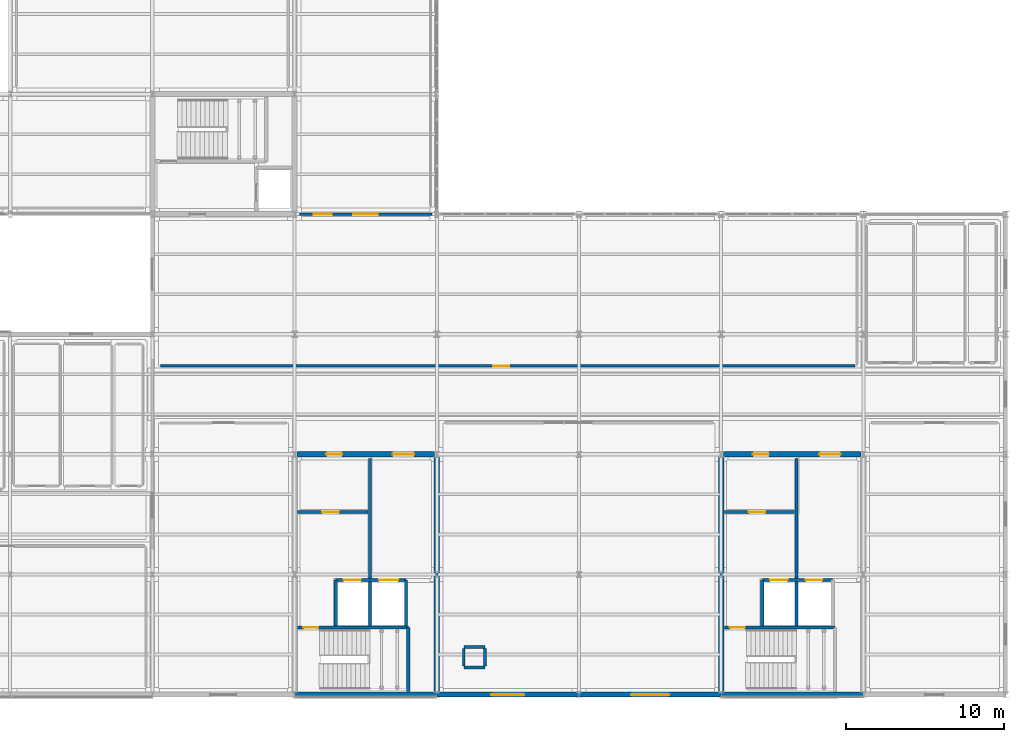
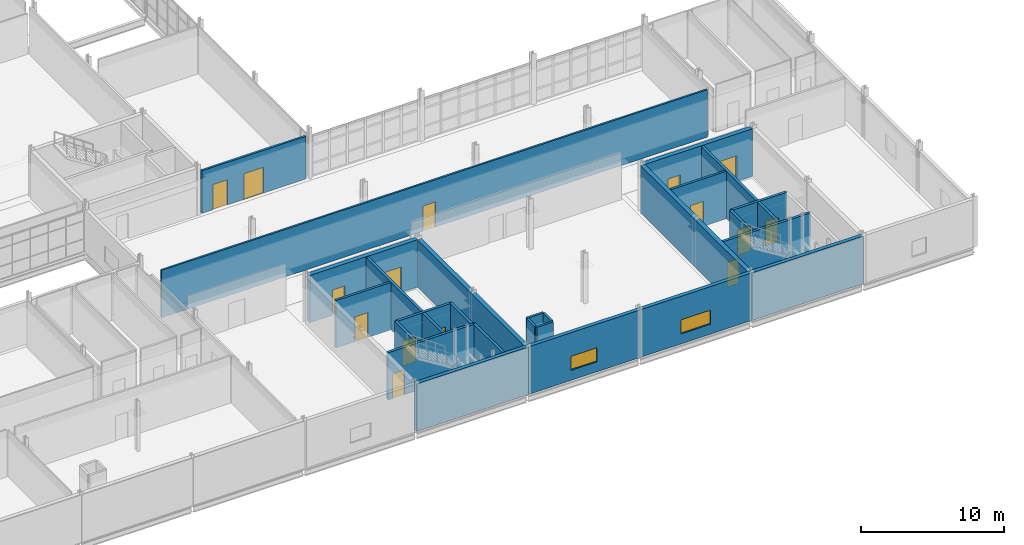
# One storey, part 155 of 174: 26 walls, 15 doors, 2 windows, 17 openings.
"""IFC4 building model written with IfcOpenShell, lengths in metres."""

from ifc_helpers import new_model, si_unit, direction, frame, frame_2d, origin, place, context, subcontext, project, spatial, rectangle, extrude, material, layer, layer_set, type_object, element, fill, save


model = new_model("IFC4")

# Units and contexts
model_context = context("Model", 3, precision=1e-05, world=origin(), true_north=direction((0.0, 1.0)))
body_context = subcontext(model_context, "Body", "Model", "MODEL_VIEW")
ifc_project = project(units=[si_unit("LENGTHUNIT", "METRE"), si_unit("AREAUNIT", "SQUARE_METRE"), si_unit("VOLUMEUNIT", "CUBIC_METRE"), si_unit("PLANEANGLEUNIT", "RADIAN"), si_unit("MASSUNIT", "GRAM", prefix="KILO")], contexts=[model_context])

# Site, building, storey
site_placement = place(None, origin())
site = spatial("IfcSite", under=ifc_project, at=site_placement, CompositionType="ELEMENT")
building_placement = place(site_placement, origin())
building = spatial("IfcBuilding", under=site, at=building_placement, Name="Caisbarro Railhouse Central Library", CompositionType="ELEMENT")
storey_placement = place(building_placement, frame((0.0, 0.0, 5.0400390625)))
storey = spatial("IfcBuildingStorey", under=building, at=storey_placement, Name="L01", CompositionType="ELEMENT", Elevation=5.0400390625)

# Wall, openings, doors
ifc_material_1 = material(Name="Concrete C40", Category="concrete")
ifc_layer_1 = layer(ifc_material_1, 0.35009765625, Name="Concrete C40")
ifc_layer_set_1 = layer_set([ifc_layer_1], Name="Concrete C40")
wall_type_1 = type_object("IfcWallType", Name="WAL-CW35", PredefinedType="SHEAR", material=ifc_layer_set_1)
wall_1_placement = place(storey_placement, frame((63.159912109375, 15.199951171875, 0.0), z_axis=(0.0, 0.0, 1.0), x_axis=(1.0, 0.0, 0.0)))
wall_1 = element("IfcWall", 1, at=wall_1_placement, inside=storey, type_object=wall_type_1, Name="CW35 RC core shear wall L01 #7", PredefinedType="SHEAR", context=body_context, shape_type="SweptSolid", body=[
    extrude(rectangle(XDim=8.68017578125, YDim=0.35009765625, at=frame_2d((4.340087890625, 0.0))), origin(), (0.0, 0.0, 1.0), 4.0400390625),
])
opening_1_placement = place(wall_1_placement, frame((1.85009765625, 0.0, 0.0)))
opening_1 = element("IfcOpeningElement", 2, at=opening_1_placement, cuts=wall_1, Name="Opening FD05", PredefinedType="OPENING", context=body_context, shape_type="SweptSolid", body=[
    extrude(rectangle(XDim=1.0, YDim=2.14990234375, at=frame_2d((0.5, 1.074951171875))), frame((0.0, 0.18505859375, 0.0), z_axis=(0.0, -1.0, 0.0), x_axis=(1.0, 0.0, 0.0)), (0.0, 0.0, 1.0), 0.3701171875),
])
opening_2_placement = place(wall_1_placement, frame((6.050048828125, 0.0, 0.0)))
opening_2 = element("IfcOpeningElement", 3, at=opening_2_placement, cuts=wall_1, Name="Opening FD06", PredefinedType="OPENING", context=body_context, shape_type="SweptSolid", body=[
    extrude(rectangle(XDim=1.35009765625, YDim=2.179931640625, at=frame_2d((0.675048828125, 1.08984375))), frame((0.0, 0.18505859375, 0.0), z_axis=(0.0, -1.0, 0.0), x_axis=(1.0, 0.0, 0.0)), (0.0, 0.0, 1.0), 0.3701171875),
])
ifc_material_2 = material(Name="Fire-rated painted galvanised steel", Category="steel")
door_type_1 = type_object("IfcDoorType", Name="DR-FD05", OperationType="NOTDEFINED", PredefinedType="DOOR", material=ifc_material_2)
door_1_placement = place(opening_1_placement, origin())
door_1 = element("IfcDoor", 4, at=door_1_placement, inside=storey, type_object=door_type_1, Name="Core K1 Vestibule Door FD05 L01-017", OperationType="SINGLE_SWING_LEFT", OverallHeight=2.14990234375, OverallWidth=1.0, PredefinedType="DOOR", context=body_context, shape_type="SweptSolid", body=[
    extrude(rectangle(XDim=1.0, YDim=2.14990234375, at=frame_2d((0.5, 1.074951171875))), frame((0.0, 0.02490234375, 0.0), z_axis=(0.0, -1.0, 0.0), x_axis=(1.0, 0.0, 0.0)), (0.0, 0.0, 1.0), 0.050048828125),
])
fill(opening_1, door_1)
door_type_2 = type_object("IfcDoorType", Name="DR-FD06", OperationType="NOTDEFINED", PredefinedType="DOOR", material=ifc_material_2)
door_2_placement = place(opening_2_placement, origin())
door_2 = element("IfcDoor", 5, at=door_2_placement, inside=storey, type_object=door_type_2, Name="Core K1 Lift Lobby Door FD06 L01-018", OperationType="SINGLE_SWING_RIGHT", OverallHeight=2.179931640625, OverallWidth=1.35009765625, PredefinedType="DOOR", context=body_context, shape_type="SweptSolid", body=[
    extrude(rectangle(XDim=1.35009765625, YDim=2.179931640625, at=frame_2d((0.675048828125, 1.08984375))), frame((0.0, 0.02490234375, 0.0), z_axis=(0.0, -1.0, 0.0), x_axis=(1.0, 0.0, 0.0)), (0.0, 0.0, 1.0), 0.050048828125),
])
fill(opening_2, door_2)

# Wall
wall_2_placement = place(storey_placement, frame((72.0, 0.159912109375, 0.0), z_axis=(0.0, 0.0, 1.0), x_axis=(0.0, 1.0, 0.0)))
element("IfcWall", 6, at=wall_2_placement, inside=storey, type_object=wall_type_1, Name="CW35 RC core shear wall L01 #9", PredefinedType="SHEAR", context=body_context, shape_type="SweptSolid", body=[
    extrude(rectangle(XDim=14.880126953125, YDim=0.35009765625, at=frame_2d((7.43994140625, 0.0))), origin(), (0.0, 0.0, 1.0), 4.0400390625),
])

# Wall, openings, doors
wall_3_placement = place(storey_placement, frame((90.159912109375, 15.199951171875, 0.0), z_axis=(0.0, 0.0, 1.0), x_axis=(1.0, 0.0, 0.0)))
wall_3 = element("IfcWall", 7, at=wall_3_placement, inside=storey, type_object=wall_type_1, Name="CW35 RC core shear wall L01 #26", PredefinedType="SHEAR", context=body_context, shape_type="SweptSolid", body=[
    extrude(rectangle(XDim=8.68017578125, YDim=0.35009765625, at=frame_2d((4.340087890625, 0.0))), origin(), (0.0, 0.0, 1.0), 4.0400390625),
])
opening_3_placement = place(wall_3_placement, frame((1.85009765625, 0.0, 0.0)))
opening_3 = element("IfcOpeningElement", 8, at=opening_3_placement, cuts=wall_3, Name="Opening FD05", PredefinedType="OPENING", context=body_context, shape_type="SweptSolid", body=[
    extrude(rectangle(XDim=1.0, YDim=2.14990234375, at=frame_2d((0.5, 1.074951171875))), frame((0.0, 0.18505859375, 0.0), z_axis=(0.0, -1.0, 0.0), x_axis=(1.0, 0.0, 0.0)), (0.0, 0.0, 1.0), 0.3701171875),
])
opening_4_placement = place(wall_3_placement, frame((6.050048828125, 0.0, 0.0)))
opening_4 = element("IfcOpeningElement", 9, at=opening_4_placement, cuts=wall_3, Name="Opening FD06", PredefinedType="OPENING", context=body_context, shape_type="SweptSolid", body=[
    extrude(rectangle(XDim=1.35009765625, YDim=2.179931640625, at=frame_2d((0.675048828125, 1.08984375))), frame((0.0, 0.18505859375, 0.0), z_axis=(0.0, -1.0, 0.0), x_axis=(1.0, 0.0, 0.0)), (0.0, 0.0, 1.0), 0.3701171875),
])
door_3_placement = place(opening_3_placement, origin())
door_3 = element("IfcDoor", 10, at=door_3_placement, inside=storey, type_object=door_type_1, Name="Core K2 Vestibule Door FD05 L01-059", OperationType="SINGLE_SWING_LEFT", OverallHeight=2.14990234375, OverallWidth=1.0, PredefinedType="DOOR", context=body_context, shape_type="SweptSolid", body=[
    extrude(rectangle(XDim=1.0, YDim=2.14990234375, at=frame_2d((0.5, 1.074951171875))), frame((0.0, 0.02490234375, 0.0), z_axis=(0.0, -1.0, 0.0), x_axis=(1.0, 0.0, 0.0)), (0.0, 0.0, 1.0), 0.050048828125),
])
fill(opening_3, door_3)
door_4_placement = place(opening_4_placement, origin())
door_4 = element("IfcDoor", 11, at=door_4_placement, inside=storey, type_object=door_type_2, Name="Core K2 Lift Lobby Door FD06 L01-060", OperationType="SINGLE_SWING_RIGHT", OverallHeight=2.179931640625, OverallWidth=1.35009765625, PredefinedType="DOOR", context=body_context, shape_type="SweptSolid", body=[
    extrude(rectangle(XDim=1.35009765625, YDim=2.179931640625, at=frame_2d((0.675048828125, 1.08984375))), frame((0.0, 0.02490234375, 0.0), z_axis=(0.0, -1.0, 0.0), x_axis=(1.0, 0.0, 0.0)), (0.0, 0.0, 1.0), 0.050048828125),
])
fill(opening_4, door_4)

# Walls
wall_4_placement = place(storey_placement, frame((90.0, 0.159912109375, 0.0), z_axis=(0.0, 0.0, 1.0), x_axis=(0.0, 1.0, 0.0)))
element("IfcWall", 12, at=wall_4_placement, inside=storey, type_object=wall_type_1, Name="CW35 RC core shear wall L01 #27", PredefinedType="SHEAR", context=body_context, shape_type="SweptSolid", body=[
    extrude(rectangle(XDim=14.880126953125, YDim=0.35009765625, at=frame_2d((7.43994140625, 0.0))), origin(), (0.0, 0.0, 1.0), 4.0400390625),
])
ifc_layer_2 = layer(ifc_material_1, 0.300048828125, Name="Concrete C40")
ifc_layer_set_2 = layer_set([ifc_layer_2], Name="Concrete C40")
wall_type_2 = type_object("IfcWallType", Name="WAL-EW30", PredefinedType="SOLIDWALL", material=ifc_layer_set_2)
wall_5_placement = place(storey_placement, frame((63.0, 0.0, 0.0), z_axis=(0.0, 0.0, 1.0), x_axis=(1.0, 0.0, 0.0)))
element("IfcWall", 13, at=wall_5_placement, inside=storey, type_object=wall_type_2, Name="EW30 exterior wall L01 #82", PredefinedType="SOLIDWALL", context=body_context, shape_type="SweptSolid", body=[
    extrude(rectangle(XDim=9.0, YDim=0.300048828125, at=frame_2d((4.5, 0.0))), origin(), (0.0, 0.0, 1.0), 4.06005859375),
])

# Wall, opening, window
wall_6_placement = place(storey_placement, frame((72.0, 0.0, 0.0), z_axis=(0.0, 0.0, 1.0), x_axis=(1.0, 0.0, 0.0)))
wall_6 = element("IfcWall", 14, at=wall_6_placement, inside=storey, type_object=wall_type_2, Name="EW30 exterior wall L01 #83", PredefinedType="SOLIDWALL", context=body_context, shape_type="SweptSolid", body=[
    extrude(rectangle(XDim=9.0, YDim=0.300048828125, at=frame_2d((4.5, 0.0))), origin(), (0.0, 0.0, 1.0), 4.06005859375),
])
opening_5_placement = place(wall_6_placement, frame((3.449951171875, 0.0, 0.85009765625)))
opening_5 = element("IfcOpeningElement", 15, at=opening_5_placement, cuts=wall_6, Name="Opening W08", PredefinedType="OPENING", context=body_context, shape_type="SweptSolid", body=[
    extrude(rectangle(XDim=2.10009765625, YDim=1.199951171875, at=frame_2d((1.050048828125, 0.60009765625))), frame((0.0, 0.16015625, 0.0), z_axis=(0.0, -1.0, 0.0), x_axis=(1.0, 0.0, 0.0)), (0.0, 0.0, 1.0), 0.320068359375),
])
ifc_material_3 = material(Name="Double low-e laminated solar-control glass", Category="glass")
window_type_1 = type_object("IfcWindowType", Name="WIN-W08", PartitioningType="SINGLE_PANEL", PredefinedType="WINDOW", material=ifc_material_3)
window_1_placement = place(opening_5_placement, origin())
window_1 = element("IfcWindow", 16, at=window_1_placement, inside=storey, type_object=window_type_1, Name="W08 window L01-010", OverallHeight=1.199951171875, OverallWidth=2.10009765625, PartitioningType="SINGLE_PANEL", PredefinedType="WINDOW", context=body_context, shape_type="SweptSolid", body=[
    extrude(rectangle(XDim=2.10009765625, YDim=1.199951171875, at=frame_2d((1.050048828125, 0.60009765625))), frame((0.0, 0.030029296875, 0.0), z_axis=(0.0, -1.0, 0.0), x_axis=(1.0, 0.0, 0.0)), (0.0, 0.0, 1.0), 0.06005859375),
])
fill(opening_5, window_1)

wall_7_placement = place(storey_placement, frame((81.0, 0.0, 0.0), z_axis=(0.0, 0.0, 1.0), x_axis=(1.0, 0.0, 0.0)))
wall_7 = element("IfcWall", 17, at=wall_7_placement, inside=storey, type_object=wall_type_2, Name="EW30 exterior wall L01 #84", PredefinedType="SOLIDWALL", context=body_context, shape_type="SweptSolid", body=[
    extrude(rectangle(XDim=9.0, YDim=0.300048828125, at=frame_2d((4.5, 0.0))), origin(), (0.0, 0.0, 1.0), 4.06005859375),
])
opening_6_placement = place(wall_7_placement, frame((3.300048828125, 0.0, 0.85009765625)))
opening_6 = element("IfcOpeningElement", 18, at=opening_6_placement, cuts=wall_7, Name="Opening W09", PredefinedType="OPENING", context=body_context, shape_type="SweptSolid", body=[
    extrude(rectangle(XDim=2.39990234375, YDim=1.199951171875, at=frame_2d((1.199951171875, 0.60009765625))), frame((0.0, 0.16015625, 0.0), z_axis=(0.0, -1.0, 0.0), x_axis=(1.0, 0.0, 0.0)), (0.0, 0.0, 1.0), 0.320068359375),
])
window_type_2 = type_object("IfcWindowType", Name="WIN-W09", PartitioningType="SINGLE_PANEL", PredefinedType="WINDOW", material=ifc_material_3)
window_2_placement = place(opening_6_placement, origin())
window_2 = element("IfcWindow", 19, at=window_2_placement, inside=storey, type_object=window_type_2, Name="W09 window L01-011", OverallHeight=1.199951171875, OverallWidth=2.39990234375, PartitioningType="SINGLE_PANEL", PredefinedType="WINDOW", context=body_context, shape_type="SweptSolid", body=[
    extrude(rectangle(XDim=2.39990234375, YDim=1.199951171875, at=frame_2d((1.199951171875, 0.60009765625))), frame((0.0, 0.030029296875, 0.0), z_axis=(0.0, -1.0, 0.0), x_axis=(1.0, 0.0, 0.0)), (0.0, 0.0, 1.0), 0.06005859375),
])
fill(opening_6, window_2)

# Wall
wall_8_placement = place(storey_placement, frame((90.0, 0.0, 0.0), z_axis=(0.0, 0.0, 1.0), x_axis=(1.0, 0.0, 0.0)))
element("IfcWall", 20, at=wall_8_placement, inside=storey, type_object=wall_type_2, Name="EW30 exterior wall L01 #85", PredefinedType="SOLIDWALL", context=body_context, shape_type="SweptSolid", body=[
    extrude(rectangle(XDim=9.0, YDim=0.300048828125, at=frame_2d((4.5, 0.0))), origin(), (0.0, 0.0, 1.0), 4.06005859375),
])

# Wall, opening, door
ifc_material_4 = material(Name="Acoustic gypsum board on galvanised steel studs", Category="steel")
ifc_layer_3 = layer(ifc_material_4, 0.14990234375, Name="Acoustic gypsum board on galvanised steel studs")
ifc_layer_set_3 = layer_set([ifc_layer_3], Name="Acoustic gypsum board on galvanised steel studs")
wall_type_3 = type_object("IfcWallType", Name="WAL-IW15", PredefinedType="PARTITIONING", material=ifc_layer_set_3)
wall_9_placement = place(storey_placement, frame((54.52001953125, 20.800048828125, 0.0), z_axis=(0.0, 0.0, 1.0), x_axis=(1.0, 0.0, 0.0)))
wall_9 = element("IfcWall", 21, at=wall_9_placement, inside=storey, type_object=wall_type_3, Name="IW15 partition wall L01 #392", PredefinedType="PARTITIONING", context=body_context, shape_type="SweptSolid", body=[
    extrude(rectangle(XDim=43.9599609375, YDim=0.14990234375, at=frame_2d((21.97998046875, 0.0))), origin(), (0.0, 0.0, 1.0), 4.0400390625),
])
opening_7_placement = place(wall_9_placement, frame((21.06005859375, 0.0, 0.0)))
opening_7 = element("IfcOpeningElement", 22, at=opening_7_placement, cuts=wall_9, Name="Opening FD05", PredefinedType="OPENING", context=body_context, shape_type="SweptSolid", body=[
    extrude(rectangle(XDim=1.0, YDim=2.14990234375, at=frame_2d((0.5, 1.074951171875))), frame((0.0, 0.0849609375, 0.0), z_axis=(0.0, -1.0, 0.0), x_axis=(1.0, 0.0, 0.0)), (0.0, 0.0, 1.0), 0.169921875),
])
door_5_placement = place(opening_7_placement, origin())
door_5 = element("IfcDoor", 23, at=door_5_placement, inside=storey, type_object=door_type_1, Name="Social Sciences Open Stacks Door FD05 L01-241", OperationType="SINGLE_SWING_LEFT", OverallHeight=2.14990234375, OverallWidth=1.0, PredefinedType="DOOR", context=body_context, shape_type="SweptSolid", body=[
    extrude(rectangle(XDim=1.0, YDim=2.14990234375, at=frame_2d((0.5, 1.074951171875))), frame((0.0, 0.02490234375, 0.0), z_axis=(0.0, -1.0, 0.0), x_axis=(1.0, 0.0, 0.0)), (0.0, 0.0, 1.0), 0.050048828125),
])
fill(opening_7, door_5)

# Walls
ifc_material_5 = material(Name="Plastered cellular concrete masonry", Category="masonry")
ifc_layer_4 = layer(ifc_material_5, 0.169921875, Name="Plastered cellular concrete masonry")
ifc_layer_set_4 = layer_set([ifc_layer_4], Name="Plastered cellular concrete masonry")
wall_type_4 = type_object("IfcWallType", Name="WAL-IW17", PredefinedType="PARTITIONING", material=ifc_layer_set_4)
wall_10_placement = place(storey_placement, frame((73.7099609375, 1.7099609375, 0.0), z_axis=(0.0, 0.0, 1.0), x_axis=(1.0, 0.0, 0.0)))
element("IfcWall", 24, at=wall_10_placement, inside=storey, type_object=wall_type_4, Name="IW17 partition wall L01 #203", PredefinedType="PARTITIONING", context=body_context, shape_type="SweptSolid", body=[
    extrude(rectangle(XDim=1.340087890625, YDim=0.169921875, at=frame_2d((0.669921875, 0.0))), origin(), (0.0, 0.0, 1.0), 4.0400390625),
])
wall_11_placement = place(storey_placement, frame((75.050048828125, 1.800048828125, 0.0), z_axis=(0.0, 0.0, 1.0), x_axis=(0.0, 1.0, 0.0)))
element("IfcWall", 25, at=wall_11_placement, inside=storey, type_object=wall_type_4, Name="IW17 partition wall L01 #204", PredefinedType="PARTITIONING", context=body_context, shape_type="SweptSolid", body=[
    extrude(rectangle(XDim=1.119873046875, YDim=0.169921875, at=frame_2d((0.56005859375, 0.0))), origin(), (0.0, 0.0, 1.0), 4.0400390625),
])
wall_12_placement = place(storey_placement, frame((75.050048828125, 3.010009765625, 0.0), z_axis=(0.0, 0.0, 1.0), x_axis=(-1.0, 0.0, 0.0)))
element("IfcWall", 26, at=wall_12_placement, inside=storey, type_object=wall_type_4, Name="IW17 partition wall L01 #205", PredefinedType="PARTITIONING", context=body_context, shape_type="SweptSolid", body=[
    extrude(rectangle(XDim=1.340087890625, YDim=0.169921875, at=frame_2d((0.669921875, 0.0))), origin(), (0.0, 0.0, 1.0), 4.0400390625),
])
wall_13_placement = place(storey_placement, frame((73.7099609375, 2.919921875, 0.0), z_axis=(0.0, 0.0, 1.0), x_axis=(0.0, -1.0, 0.0)))
element("IfcWall", 27, at=wall_13_placement, inside=storey, type_object=wall_type_4, Name="IW17 partition wall L01 #206", PredefinedType="PARTITIONING", context=body_context, shape_type="SweptSolid", body=[
    extrude(rectangle(XDim=1.119873046875, YDim=0.169921875, at=frame_2d((0.56005859375, 0.0))), origin(), (0.0, 0.0, 1.0), 4.0400390625),
])

# Wall, openings, doors
wall_14_placement = place(storey_placement, frame((63.300048828125, 30.39990234375, 0.0), z_axis=(0.0, 0.0, 1.0), x_axis=(1.0, 0.0, 0.0)))
wall_14 = element("IfcWall", 28, at=wall_14_placement, inside=storey, type_object=wall_type_4, Name="IW17 partition wall L01 #372", PredefinedType="PARTITIONING", context=body_context, shape_type="SweptSolid", body=[
    extrude(rectangle(XDim=8.39990234375, YDim=0.169921875, at=frame_2d((4.199951171875, 0.0))), origin(), (0.0, 0.0, 1.0), 3.630859375),
])
opening_8_placement = place(wall_14_placement, frame((3.39990234375, 0.0, 0.0)))
opening_8 = element("IfcOpeningElement", 29, at=opening_8_placement, cuts=wall_14, Name="Opening FD07", PredefinedType="OPENING", context=body_context, shape_type="SweptSolid", body=[
    extrude(rectangle(XDim=1.550048828125, YDim=2.199951171875, at=frame_2d((0.77490234375, 1.10009765625))), frame((0.0, 0.094970703125, 0.0), z_axis=(0.0, -1.0, 0.0), x_axis=(1.0, 0.0, 0.0)), (0.0, 0.0, 1.0), 0.18994140625),
])
opening_9_placement = place(wall_14_placement, frame((0.909912109375, 0.0, 0.0)))
opening_9 = element("IfcOpeningElement", 30, at=opening_9_placement, cuts=wall_14, Name="Opening FD03", PredefinedType="OPENING", context=body_context, shape_type="SweptSolid", body=[
    extrude(rectangle(XDim=1.14990234375, YDim=2.14990234375, at=frame_2d((0.574951171875, 1.074951171875))), frame((0.0, 0.094970703125, 0.0), z_axis=(0.0, -1.0, 0.0), x_axis=(1.0, 0.0, 0.0)), (0.0, 0.0, 1.0), 0.18994140625),
])
door_type_3 = type_object("IfcDoorType", Name="DR-FD03", OperationType="NOTDEFINED", PredefinedType="DOOR", material=ifc_material_2)
door_6_placement = place(opening_9_placement, origin())
door_6 = element("IfcDoor", 31, at=door_6_placement, inside=storey, type_object=door_type_3, Name="Foyer Overlook Lounge Door FD03 L01-268", OperationType="SINGLE_SWING_RIGHT", OverallHeight=2.14990234375, OverallWidth=1.14990234375, PredefinedType="DOOR", context=body_context, shape_type="SweptSolid", body=[
    extrude(rectangle(XDim=1.14990234375, YDim=2.14990234375, at=frame_2d((0.574951171875, 1.074951171875))), frame((0.0, 0.02490234375, 0.0), z_axis=(0.0, -1.0, 0.0), x_axis=(1.0, 0.0, 0.0)), (0.0, 0.0, 1.0), 0.050048828125),
])
fill(opening_9, door_6)
door_type_4 = type_object("IfcDoorType", Name="DR-FD07", OperationType="NOTDEFINED", PredefinedType="DOOR", material=ifc_material_2)
door_7_placement = place(opening_8_placement, origin())
door_7 = element("IfcDoor", 32, at=door_7_placement, inside=storey, type_object=door_type_4, Name="Hall-Archive Interconnecting Door FD07 L01-231", OperationType="SINGLE_SWING_LEFT", OverallHeight=2.199951171875, OverallWidth=1.550048828125, PredefinedType="DOOR", context=body_context, shape_type="SweptSolid", body=[
    extrude(rectangle(XDim=1.550048828125, YDim=2.199951171875, at=frame_2d((0.77490234375, 1.10009765625))), frame((0.0, 0.02490234375, 0.0), z_axis=(0.0, -1.0, 0.0), x_axis=(1.0, 0.0, 0.0)), (0.0, 0.0, 1.0), 0.050048828125),
])
fill(opening_8, door_7)

# Wall, opening, door
ifc_layer_5 = layer(ifc_material_5, 0.18994140625, Name="Plastered cellular concrete masonry")
ifc_layer_set_5 = layer_set([ifc_layer_5], Name="Plastered cellular concrete masonry")
wall_type_5 = type_object("IfcWallType", Name="WAL-SW19", PredefinedType="SOLIDWALL", material=ifc_layer_set_5)
wall_15_placement = place(storey_placement, frame((63.199951171875, 11.550048828125, 0.0), z_axis=(0.0, 0.0, 1.0), x_axis=(1.0, 0.0, 0.0)))
wall_15 = element("IfcWall", 33, at=wall_15_placement, inside=storey, type_object=wall_type_5, Name="SW19 partition wall L01 #21", PredefinedType="SOLIDWALL", context=body_context, shape_type="SweptSolid", body=[
    extrude(rectangle(XDim=4.449951171875, YDim=0.18994140625, at=frame_2d((2.22509765625, 0.0))), origin(), (0.0, 0.0, 1.0), 4.0400390625),
])
opening_10_placement = place(wall_15_placement, frame((1.550048828125, 0.0, 0.0)))
opening_10 = element("IfcOpeningElement", 34, at=opening_10_placement, cuts=wall_15, Name="Opening FD02", PredefinedType="OPENING", context=body_context, shape_type="SweptSolid", body=[
    extrude(rectangle(XDim=1.050048828125, YDim=2.1201171875, at=frame_2d((0.52490234375, 1.06005859375))), frame((0.0, 0.10498046875, 0.0), z_axis=(0.0, -1.0, 0.0), x_axis=(1.0, 0.0, 0.0)), (0.0, 0.0, 1.0), 0.2099609375),
])
door_type_5 = type_object("IfcDoorType", Name="DR-FD02", OperationType="NOTDEFINED", PredefinedType="DOOR", material=ifc_material_2)
door_8_placement = place(opening_10_placement, origin())
door_8 = element("IfcDoor", 35, at=door_8_placement, inside=storey, type_object=door_type_5, Name="Firefighting Lobby K1 Door FD02 L01-016", OperationType="SINGLE_SWING_RIGHT", OverallHeight=2.1201171875, OverallWidth=1.050048828125, PredefinedType="DOOR", context=body_context, shape_type="SweptSolid", body=[
    extrude(rectangle(XDim=1.050048828125, YDim=2.1201171875, at=frame_2d((0.52490234375, 1.06005859375))), frame((0.0, 0.02490234375, 0.0), z_axis=(0.0, -1.0, 0.0), x_axis=(1.0, 0.0, 0.0)), (0.0, 0.0, 1.0), 0.050048828125),
])
fill(opening_10, door_8)

wall_16_placement = place(storey_placement, frame((90.199951171875, 11.550048828125, 0.0), z_axis=(0.0, 0.0, 1.0), x_axis=(1.0, 0.0, 0.0)))
wall_16 = element("IfcWall", 36, at=wall_16_placement, inside=storey, type_object=wall_type_5, Name="SW19 partition wall L01 #70", PredefinedType="SOLIDWALL", context=body_context, shape_type="SweptSolid", body=[
    extrude(rectangle(XDim=4.449951171875, YDim=0.18994140625, at=frame_2d((2.22509765625, 0.0))), origin(), (0.0, 0.0, 1.0), 4.0400390625),
])
opening_11_placement = place(wall_16_placement, frame((1.550048828125, 0.0, 0.0)))
opening_11 = element("IfcOpeningElement", 37, at=opening_11_placement, cuts=wall_16, Name="Opening FD02", PredefinedType="OPENING", context=body_context, shape_type="SweptSolid", body=[
    extrude(rectangle(XDim=1.050048828125, YDim=2.1201171875, at=frame_2d((0.52490234375, 1.06005859375))), frame((0.0, 0.10498046875, 0.0), z_axis=(0.0, -1.0, 0.0), x_axis=(1.0, 0.0, 0.0)), (0.0, 0.0, 1.0), 0.2099609375),
])
door_9_placement = place(opening_11_placement, origin())
door_9 = element("IfcDoor", 38, at=door_9_placement, inside=storey, type_object=door_type_5, Name="Firefighting Lobby K2 Door FD02 L01-058", OperationType="SINGLE_SWING_RIGHT", OverallHeight=2.1201171875, OverallWidth=1.050048828125, PredefinedType="DOOR", context=body_context, shape_type="SweptSolid", body=[
    extrude(rectangle(XDim=1.050048828125, YDim=2.1201171875, at=frame_2d((0.52490234375, 1.06005859375))), frame((0.0, 0.02490234375, 0.0), z_axis=(0.0, -1.0, 0.0), x_axis=(1.0, 0.0, 0.0)), (0.0, 0.0, 1.0), 0.050048828125),
])
fill(opening_11, door_9)

ifc_layer_6 = layer(ifc_material_1, 0.2099609375, Name="Concrete C40")
ifc_layer_set_6 = layer_set([ifc_layer_6], Name="Concrete C40")
wall_type_6 = type_object("IfcWallType", Name="WAL-SW21", PredefinedType="SOLIDWALL", material=ifc_layer_set_6)
wall_17_placement = place(storey_placement, frame((63.199951171875, 4.25, 0.0), z_axis=(0.0, 0.0, 1.0), x_axis=(1.0, 0.0, 0.0)))
wall_17 = element("IfcWall", 39, at=wall_17_placement, inside=storey, type_object=wall_type_6, Name="SW21 core shaft wall L01 #15", PredefinedType="SOLIDWALL", context=body_context, shape_type="SweptSolid", body=[
    extrude(rectangle(XDim=7.0, YDim=0.2099609375, at=frame_2d((3.5, 0.0))), origin(), (0.0, 0.0, 1.0), 4.0400390625),
])
opening_12_placement = place(wall_17_placement, frame((0.35009765625, 0.0, 0.0)))
opening_12 = element("IfcOpeningElement", 40, at=opening_12_placement, cuts=wall_17, Name="Opening FD01", PredefinedType="OPENING", context=body_context, shape_type="SweptSolid", body=[
    extrude(rectangle(XDim=0.949951171875, YDim=2.1201171875, at=frame_2d((0.47509765625, 1.06005859375))), frame((0.0, 0.114990234375, 0.0), z_axis=(0.0, -1.0, 0.0), x_axis=(1.0, 0.0, 0.0)), (0.0, 0.0, 1.0), 0.22998046875),
])
door_type_6 = type_object("IfcDoorType", Name="DR-FD01", OperationType="NOTDEFINED", PredefinedType="DOOR", material=ifc_material_2)
door_10_placement = place(opening_12_placement, origin())
door_10 = element("IfcDoor", 41, at=door_10_placement, inside=storey, type_object=door_type_6, Name="Stair ST-01 Fire Door FD01 L01-013", OperationType="SINGLE_SWING_LEFT", OverallHeight=2.1201171875, OverallWidth=0.949951171875, PredefinedType="DOOR", context=body_context, shape_type="SweptSolid", body=[
    extrude(rectangle(XDim=0.949951171875, YDim=2.1201171875, at=frame_2d((0.47509765625, 1.06005859375))), frame((0.0, 0.02490234375, 0.0), z_axis=(0.0, -1.0, 0.0), x_axis=(1.0, 0.0, 0.0)), (0.0, 0.0, 1.0), 0.050048828125),
])
fill(opening_12, door_10)

# Walls
wall_18_placement = place(storey_placement, frame((70.199951171875, 0.199951171875, 0.0), z_axis=(0.0, 0.0, 1.0), x_axis=(0.0, 1.0, 0.0)))
element("IfcWall", 42, at=wall_18_placement, inside=storey, type_object=wall_type_6, Name="SW21 core shaft wall L01 #16", PredefinedType="SOLIDWALL", context=body_context, shape_type="SweptSolid", body=[
    extrude(rectangle(XDim=4.050048828125, YDim=0.2099609375, at=frame_2d((2.02490234375, 0.0))), origin(), (0.0, 0.0, 1.0), 4.0400390625),
])
wall_19_placement = place(storey_placement, frame((65.60009765625, 4.35009765625, 0.0), z_axis=(0.0, 0.0, 1.0), x_axis=(0.0, 1.0, 0.0)))
element("IfcWall", 43, at=wall_19_placement, inside=storey, type_object=wall_type_6, Name="SW21 core shaft wall L01 #17", PredefinedType="SOLIDWALL", context=body_context, shape_type="SweptSolid", body=[
    extrude(rectangle(XDim=2.89990234375, YDim=0.2099609375, at=frame_2d((1.449951171875, 0.0))), origin(), (0.0, 0.0, 1.0), 4.0400390625),
])
wall_20_placement = place(storey_placement, frame((67.77001953125, 4.35009765625, 0.0), z_axis=(0.0, 0.0, 1.0), x_axis=(0.0, 1.0, 0.0)))
element("IfcWall", 44, at=wall_20_placement, inside=storey, type_object=wall_type_6, Name="SW21 core shaft wall L01 #18", PredefinedType="SOLIDWALL", context=body_context, shape_type="SweptSolid", body=[
    extrude(rectangle(XDim=10.599853515625, YDim=0.2099609375, at=frame_2d((5.2998046875, 0.0))), origin(), (0.0, 0.0, 1.0), 4.0400390625),
])
wall_21_placement = place(storey_placement, frame((70.050048828125, 4.35009765625, 0.0), z_axis=(0.0, 0.0, 1.0), x_axis=(0.0, 1.0, 0.0)))
element("IfcWall", 45, at=wall_21_placement, inside=storey, type_object=wall_type_6, Name="SW21 core shaft wall L01 #19", PredefinedType="SOLIDWALL", context=body_context, shape_type="SweptSolid", body=[
    extrude(rectangle(XDim=2.89990234375, YDim=0.2099609375, at=frame_2d((1.449951171875, 0.0))), origin(), (0.0, 0.0, 1.0), 4.0400390625),
])

# Wall, openings, doors
wall_22_placement = place(storey_placement, frame((65.60009765625, 7.25, 0.0), z_axis=(0.0, 0.0, 1.0), x_axis=(1.0, 0.0, 0.0)))
wall_22 = element("IfcWall", 46, at=wall_22_placement, inside=storey, type_object=wall_type_6, Name="SW21 core shaft wall L01 #20", PredefinedType="SOLIDWALL", context=body_context, shape_type="SweptSolid", body=[
    extrude(rectangle(XDim=4.449951171875, YDim=0.2099609375, at=frame_2d((2.22509765625, 0.0))), origin(), (0.0, 0.0, 1.0), 4.0400390625),
])
opening_13_placement = place(wall_22_placement, frame((0.5, 0.0, 0.0)))
opening_13 = element("IfcOpeningElement", 47, at=opening_13_placement, cuts=wall_22, Name="Opening LD01", PredefinedType="OPENING", context=body_context, shape_type="SweptSolid", body=[
    extrude(rectangle(XDim=1.10009765625, YDim=2.139892578125, at=frame_2d((0.550048828125, 1.06982421875))), frame((0.0, 0.114990234375, 0.0), z_axis=(0.0, -1.0, 0.0), x_axis=(1.0, 0.0, 0.0)), (0.0, 0.0, 1.0), 0.22998046875),
])
opening_14_placement = place(wall_22_placement, frame((2.75, 0.0, 0.0)))
opening_14 = element("IfcOpeningElement", 48, at=opening_14_placement, cuts=wall_22, Name="Opening LD03", PredefinedType="OPENING", context=body_context, shape_type="SweptSolid", body=[
    extrude(rectangle(XDim=1.199951171875, YDim=2.179931640625, at=frame_2d((0.60009765625, 1.08984375))), frame((0.0, 0.114990234375, 0.0), z_axis=(0.0, -1.0, 0.0), x_axis=(1.0, 0.0, 0.0)), (0.0, 0.0, 1.0), 0.22998046875),
])
ifc_material_6 = material(Name="Brushed stainless steel elevator cab", Category="steel")
door_type_7 = type_object("IfcDoorType", Name="DR-LD01", OperationType="NOTDEFINED", PredefinedType="DOOR", material=ifc_material_6)
door_11_placement = place(opening_13_placement, origin())
door_11 = element("IfcDoor", 49, at=door_11_placement, inside=storey, type_object=door_type_7, Name="Lift FL-01 Landing Door LD01 L01-014", OperationType="SLIDING_TO_LEFT", OverallHeight=2.139892578125, OverallWidth=1.10009765625, PredefinedType="DOOR", context=body_context, shape_type="SweptSolid", body=[
    extrude(rectangle(XDim=1.10009765625, YDim=2.139892578125, at=frame_2d((0.550048828125, 1.06982421875))), frame((0.0, 0.02490234375, 0.0), z_axis=(0.0, -1.0, 0.0), x_axis=(1.0, 0.0, 0.0)), (0.0, 0.0, 1.0), 0.050048828125),
])
fill(opening_13, door_11)
door_type_8 = type_object("IfcDoorType", Name="DR-LD03", OperationType="NOTDEFINED", PredefinedType="DOOR", material=ifc_material_6)
door_12_placement = place(opening_14_placement, origin())
door_12 = element("IfcDoor", 50, at=door_12_placement, inside=storey, type_object=door_type_8, Name="Lift BL-01 Landing Door LD03 L01-015", OperationType="SLIDING_TO_LEFT", OverallHeight=2.179931640625, OverallWidth=1.199951171875, PredefinedType="DOOR", context=body_context, shape_type="SweptSolid", body=[
    extrude(rectangle(XDim=1.199951171875, YDim=2.179931640625, at=frame_2d((0.60009765625, 1.08984375))), frame((0.0, 0.02490234375, 0.0), z_axis=(0.0, -1.0, 0.0), x_axis=(1.0, 0.0, 0.0)), (0.0, 0.0, 1.0), 0.050048828125),
])
fill(opening_14, door_12)

# Wall, opening, door
wall_23_placement = place(storey_placement, frame((90.199951171875, 4.25, 0.0), z_axis=(0.0, 0.0, 1.0), x_axis=(1.0, 0.0, 0.0)))
wall_23 = element("IfcWall", 51, at=wall_23_placement, inside=storey, type_object=wall_type_6, Name="SW21 core shaft wall L01 #64", PredefinedType="SOLIDWALL", context=body_context, shape_type="SweptSolid", body=[
    extrude(rectangle(XDim=7.0, YDim=0.2099609375, at=frame_2d((3.5, 0.0))), origin(), (0.0, 0.0, 1.0), 4.0400390625),
])
opening_15_placement = place(wall_23_placement, frame((0.35009765625, 0.0, 0.0)))
opening_15 = element("IfcOpeningElement", 52, at=opening_15_placement, cuts=wall_23, Name="Opening FD01", PredefinedType="OPENING", context=body_context, shape_type="SweptSolid", body=[
    extrude(rectangle(XDim=0.949951171875, YDim=2.1201171875, at=frame_2d((0.47509765625, 1.06005859375))), frame((0.0, 0.114990234375, 0.0), z_axis=(0.0, -1.0, 0.0), x_axis=(1.0, 0.0, 0.0)), (0.0, 0.0, 1.0), 0.22998046875),
])
door_13_placement = place(opening_15_placement, origin())
door_13 = element("IfcDoor", 53, at=door_13_placement, inside=storey, type_object=door_type_6, Name="Stair ST-02 Fire Door FD01 L01-055", OperationType="SINGLE_SWING_LEFT", OverallHeight=2.1201171875, OverallWidth=0.949951171875, PredefinedType="DOOR", context=body_context, shape_type="SweptSolid", body=[
    extrude(rectangle(XDim=0.949951171875, YDim=2.1201171875, at=frame_2d((0.47509765625, 1.06005859375))), frame((0.0, 0.02490234375, 0.0), z_axis=(0.0, -1.0, 0.0), x_axis=(1.0, 0.0, 0.0)), (0.0, 0.0, 1.0), 0.050048828125),
])
fill(opening_15, door_13)

# Walls
wall_24_placement = place(storey_placement, frame((92.60009765625, 4.35009765625, 0.0), z_axis=(0.0, 0.0, 1.0), x_axis=(0.0, 1.0, 0.0)))
element("IfcWall", 54, at=wall_24_placement, inside=storey, type_object=wall_type_6, Name="SW21 core shaft wall L01 #66", PredefinedType="SOLIDWALL", context=body_context, shape_type="SweptSolid", body=[
    extrude(rectangle(XDim=2.89990234375, YDim=0.2099609375, at=frame_2d((1.449951171875, 0.0))), origin(), (0.0, 0.0, 1.0), 4.0400390625),
])
wall_25_placement = place(storey_placement, frame((94.77001953125, 4.35009765625, 0.0), z_axis=(0.0, 0.0, 1.0), x_axis=(0.0, 1.0, 0.0)))
element("IfcWall", 55, at=wall_25_placement, inside=storey, type_object=wall_type_6, Name="SW21 core shaft wall L01 #67", PredefinedType="SOLIDWALL", context=body_context, shape_type="SweptSolid", body=[
    extrude(rectangle(XDim=10.599853515625, YDim=0.2099609375, at=frame_2d((5.2998046875, 0.0))), origin(), (0.0, 0.0, 1.0), 4.0400390625),
])

# Wall, openings, doors
wall_26_placement = place(storey_placement, frame((92.60009765625, 7.25, 0.0), z_axis=(0.0, 0.0, 1.0), x_axis=(1.0, 0.0, 0.0)))
wall_26 = element("IfcWall", 56, at=wall_26_placement, inside=storey, type_object=wall_type_6, Name="SW21 core shaft wall L01 #69", PredefinedType="SOLIDWALL", context=body_context, shape_type="SweptSolid", body=[
    extrude(rectangle(XDim=4.449951171875, YDim=0.2099609375, at=frame_2d((2.22509765625, 0.0))), origin(), (0.0, 0.0, 1.0), 4.0400390625),
])
opening_16_placement = place(wall_26_placement, frame((0.5, 0.0, 0.0)))
opening_16 = element("IfcOpeningElement", 57, at=opening_16_placement, cuts=wall_26, Name="Opening LD01", PredefinedType="OPENING", context=body_context, shape_type="SweptSolid", body=[
    extrude(rectangle(XDim=1.10009765625, YDim=2.139892578125, at=frame_2d((0.550048828125, 1.06982421875))), frame((0.0, 0.114990234375, 0.0), z_axis=(0.0, -1.0, 0.0), x_axis=(1.0, 0.0, 0.0)), (0.0, 0.0, 1.0), 0.22998046875),
])
opening_17_placement = place(wall_26_placement, frame((2.75, 0.0, 0.0)))
opening_17 = element("IfcOpeningElement", 58, at=opening_17_placement, cuts=wall_26, Name="Opening LD02", PredefinedType="OPENING", context=body_context, shape_type="SweptSolid", body=[
    extrude(rectangle(XDim=1.0400390625, YDim=2.10009765625, at=frame_2d((0.52001953125, 1.050048828125))), frame((0.0, 0.114990234375, 0.0), z_axis=(0.0, -1.0, 0.0), x_axis=(1.0, 0.0, 0.0)), (0.0, 0.0, 1.0), 0.22998046875),
])
door_14_placement = place(opening_16_placement, origin())
door_14 = element("IfcDoor", 59, at=door_14_placement, inside=storey, type_object=door_type_7, Name="Lift FL-02 Landing Door LD01 L01-056", OperationType="SLIDING_TO_LEFT", OverallHeight=2.139892578125, OverallWidth=1.10009765625, PredefinedType="DOOR", context=body_context, shape_type="SweptSolid", body=[
    extrude(rectangle(XDim=1.10009765625, YDim=2.139892578125, at=frame_2d((0.550048828125, 1.06982421875))), frame((0.0, 0.02490234375, 0.0), z_axis=(0.0, -1.0, 0.0), x_axis=(1.0, 0.0, 0.0)), (0.0, 0.0, 1.0), 0.050048828125),
])
fill(opening_16, door_14)
door_type_9 = type_object("IfcDoorType", Name="DR-LD02", OperationType="NOTDEFINED", PredefinedType="DOOR", material=ifc_material_6)
door_15_placement = place(opening_17_placement, origin())
door_15 = element("IfcDoor", 60, at=door_15_placement, inside=storey, type_object=door_type_9, Name="Lift PL-01 Landing Door LD02 L01-057", OperationType="SLIDING_TO_LEFT", OverallHeight=2.10009765625, OverallWidth=1.0400390625, PredefinedType="DOOR", context=body_context, shape_type="SweptSolid", body=[
    extrude(rectangle(XDim=1.0400390625, YDim=2.10009765625, at=frame_2d((0.52001953125, 1.050048828125))), frame((0.0, 0.02490234375, 0.0), z_axis=(0.0, -1.0, 0.0), x_axis=(1.0, 0.0, 0.0)), (0.0, 0.0, 1.0), 0.050048828125),
])
fill(opening_17, door_15)

save(model, "model.ifc")
